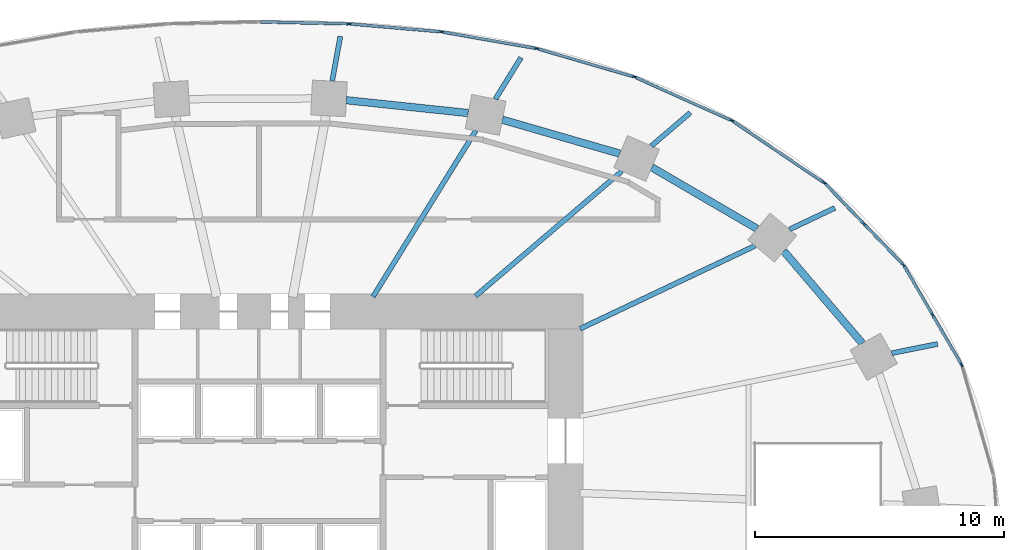
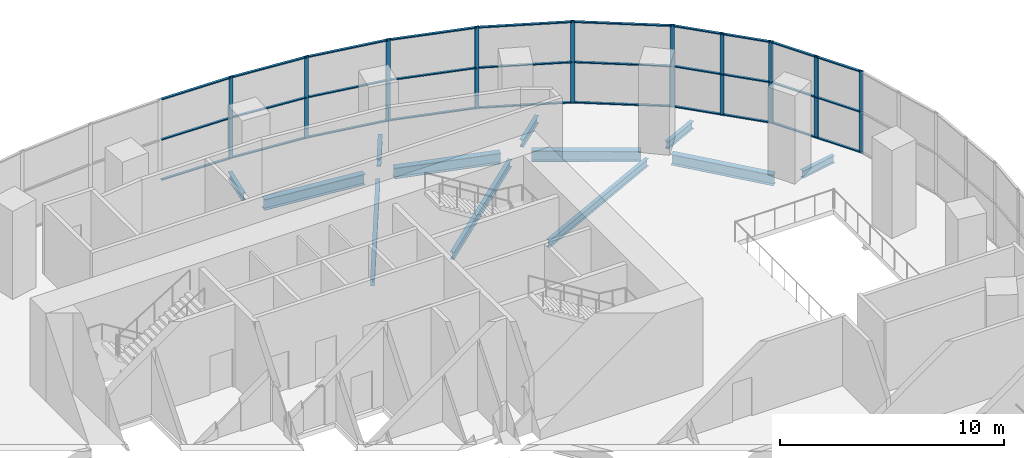
# One storey, part 8 of 17: 40 members, 12 beams, 8 elements without a shape of their own.
"""IFC4 building model written with IfcOpenShell, lengths in metres."""

from ifc_helpers import new_model, si_unit, direction, frame, origin, origin_2d, place, context, subcontext, project, spatial, rectangle, i_section, extrude, material, material_profile, profile_set, type_object, element, aggregate, save


model = new_model("IFC4")

# Units and contexts
model_context = context("Model", 3, precision=1e-05, world=origin(), true_north=direction((0.0, 1.0)))
body_context = subcontext(model_context, "Body", "Model", "MODEL_VIEW")
ifc_project = project(units=[si_unit("LENGTHUNIT", "METRE"), si_unit("AREAUNIT", "SQUARE_METRE"), si_unit("VOLUMEUNIT", "CUBIC_METRE"), si_unit("PLANEANGLEUNIT", "RADIAN"), si_unit("MASSUNIT", "GRAM", prefix="KILO")], contexts=[model_context])

# Site, building, storey
site_placement = place(None, origin())
site = spatial("IfcSite", under=ifc_project, at=site_placement, CompositionType="ELEMENT")
building_placement = place(site_placement, origin())
building = spatial("IfcBuilding", under=site, at=building_placement, Name="Rubra Terraces Tower", CompositionType="ELEMENT")
storey_placement = place(building_placement, frame((0.0, 0.0, 28.199951171875)))
storey = spatial("IfcBuildingStorey", under=building, at=storey_placement, Name="L04", CompositionType="ELEMENT", Elevation=28.199951171875)

# Beams
ifc_material_1 = material(Name="Steel Q355B", Category="steel")
ifc_material_profile_1 = material_profile(ifc_material_1, i_section(OverallWidth=0.199951171875, OverallDepth=0.39990234375, WebThickness=0.008056640625, FlangeThickness=0.012939453125, at=origin_2d()), Name="HN 400x200x8x13")
ifc_profile_set_1 = profile_set([ifc_material_profile_1], Name="Steel Q355B")
beam_type_1 = type_object("IfcBeamType", Name="CANTILEVER BEAM HN 400x200x8x13", PredefinedType="BEAM", material=ifc_profile_set_1)
beam_1_placement = place(storey_placement, frame((25.39599609375, 9.6279296875, -0.449951171875), z_axis=(0.980183746275, 0.198090442822, 0.0), x_axis=(-0.198090442822, 0.980183746275, 0.0)))
element("IfcBeam", 1, at=beam_1_placement, inside=storey, type_object=beam_type_1, Name="beam-L04-cant-02", PredefinedType="BEAM", context=body_context, shape_type="SweptSolid", body=[
    extrude(i_section(OverallWidth=0.199951171875, OverallDepth=0.39990234375, WebThickness=0.008056640625, FlangeThickness=0.012939453125, at=origin_2d()), origin(), (0.0, 0.0, 1.0), 1.878173828125),
])
beam_2_placement = place(storey_placement, frame((21.2958984375, 14.595947265625, -0.449951171875), z_axis=(0.903591368952, 0.428395422426, 0.0), x_axis=(-0.428395422426, 0.903591368952, 0.0)))
element("IfcBeam", 2, at=beam_2_placement, inside=storey, type_object=beam_type_1, Name="beam-L04-cant-03", PredefinedType="BEAM", context=body_context, shape_type="SweptSolid", body=[
    extrude(i_section(OverallWidth=0.199951171875, OverallDepth=0.39990234375, WebThickness=0.008056640625, FlangeThickness=0.012939453125, at=origin_2d()), origin(), (0.0, 0.0, 1.0), 2.003173828125),
])
beam_3_placement = place(storey_placement, frame((15.7509765625, 17.947998046875, -0.449951171875), z_axis=(0.760464221836, 0.649379832847, 0.0), x_axis=(-0.649379832847, 0.760464221836, 0.0)))
element("IfcBeam", 3, at=beam_3_placement, inside=storey, type_object=beam_type_1, Name="beam-L04-cant-04", PredefinedType="BEAM", context=body_context, shape_type="SweptSolid", body=[
    extrude(i_section(OverallWidth=0.199951171875, OverallDepth=0.39990234375, WebThickness=0.008056640625, FlangeThickness=0.012939453125, at=origin_2d()), origin(), (0.0, 0.0, 1.0), 2.052734375),
])
beam_4_placement = place(storey_placement, frame((9.488037109375, 19.827880859375, -0.449951171875), z_axis=(0.526264261804, 0.850321072741, 0.0), x_axis=(-0.850321072741, 0.526264261804, 0.0)))
element("IfcBeam", 4, at=beam_4_placement, inside=storey, type_object=beam_type_1, Name="beam-L04-cant-05", PredefinedType="BEAM", context=body_context, shape_type="SweptSolid", body=[
    extrude(i_section(OverallWidth=0.199951171875, OverallDepth=0.39990234375, WebThickness=0.008056640625, FlangeThickness=0.012939453125, at=origin_2d()), origin(), (0.0, 0.0, 1.0), 1.95361328125),
])
beam_5_placement = place(storey_placement, frame((2.93798828125, 20.549072265625, -0.449951171875), z_axis=(0.180016854408, 0.983663525871, 0.0), x_axis=(-0.983663525871, 0.180016854408, 0.0)))
element("IfcBeam", 5, at=beam_5_placement, inside=storey, type_object=beam_type_1, Name="beam-L04-cant-06", PredefinedType="BEAM", context=body_context, shape_type="SweptSolid", body=[
    extrude(i_section(OverallWidth=0.199951171875, OverallDepth=0.39990234375, WebThickness=0.008056640625, FlangeThickness=0.012939453125, at=origin_2d()), origin(), (0.0, 0.0, 1.0), 1.82275390625),
])
ifc_material_profile_2 = material_profile(ifc_material_1, i_section(OverallWidth=0.199951171875, OverallDepth=0.39990234375, WebThickness=0.008056640625, FlangeThickness=0.012939453125, at=origin_2d()), Name="HN 400x200x8x13")
ifc_profile_set_2 = profile_set([ifc_material_profile_2], Name="Steel Q355B")
beam_type_2 = type_object("IfcBeamType", Name="FLOOR BEAM HN 400x200x8x13", PredefinedType="BEAM", material=ifc_profile_set_2)
beam_6_placement = place(storey_placement, frame((19.904052734375, 13.93603515625, -0.449951171875), z_axis=(-0.903612237836, -0.428351402045, 0.0), x_axis=(0.428351402045, -0.903612237836, 0.0)))
element("IfcBeam", 6, at=beam_6_placement, inside=storey, type_object=beam_type_2, Name="beam-L04-floor-03", PredefinedType="BEAM", context=body_context, shape_type="SweptSolid", body=[
    extrude(i_section(OverallWidth=0.199951171875, OverallDepth=0.39990234375, WebThickness=0.008056640625, FlangeThickness=0.012939453125, at=origin_2d()), origin(), (0.0, 0.0, 1.0), 7.760009765625),
])
beam_7_placement = place(storey_placement, frame((14.56298828125, 16.93408203125, -0.449951171875), z_axis=(-0.760494401061, -0.649344489431, 0.0), x_axis=(0.649344489431, -0.760494401061, 0.0)))
element("IfcBeam", 7, at=beam_7_placement, inside=storey, type_object=beam_type_2, Name="beam-L04-floor-04", PredefinedType="BEAM", context=body_context, shape_type="SweptSolid", body=[
    extrude(i_section(OverallWidth=0.199951171875, OverallDepth=0.39990234375, WebThickness=0.008056640625, FlangeThickness=0.012939453125, at=origin_2d()), origin(), (0.0, 0.0, 1.0), 7.718505859375),
])
beam_8_placement = place(storey_placement, frame((8.699951171875, 18.555908203125, -0.449951171875), z_axis=(-0.526285914839, -0.850307671283, 0.0), x_axis=(0.850307671283, -0.526285914839, 0.0)))
element("IfcBeam", 8, at=beam_8_placement, inside=storey, type_object=beam_type_2, Name="beam-L04-floor-05", PredefinedType="BEAM", context=body_context, shape_type="SweptSolid", body=[
    extrude(i_section(OverallWidth=0.199951171875, OverallDepth=0.39990234375, WebThickness=0.008056640625, FlangeThickness=0.012939453125, at=origin_2d()), origin(), (0.0, 0.0, 1.0), 7.830078125),
])

# Curtain wall, members
ifc_material_2 = material(Name="Aluminium and glass", Category="aluminium")
curtain_wall_type = type_object("IfcCurtainWallType", Name="Curtain wall Podium glazing", PredefinedType="NOTDEFINED", material=ifc_material_2)
curtain_wall_1_placement = place(storey_placement, origin())
curtain_wall_1 = element("IfcCurtainWall", 9, at=curtain_wall_1_placement, inside=storey, type_object=curtain_wall_type, Name="L04 glazing bay 3", PredefinedType="NOTDEFINED")
ifc_material_3 = material(Name="Aluminium, anodised dark grey", Category="aluminium")
ifc_material_profile_3 = material_profile(ifc_material_3, rectangle(XDim=0.06005859375, YDim=0.199951171875, at=origin_2d()), Name="AL 60x200")
ifc_profile_set_3 = profile_set([ifc_material_profile_3], Name="Aluminium, anodised dark grey")
member_type_1 = type_object("IfcMemberType", Name="Podium glazing mullion 60 x 200", PredefinedType="MULLION", material=ifc_profile_set_3)
member_1_placement = place(storey_placement, frame((28.18798828125, 9.17333984375, 0.0), z_axis=(0.0, 0.0, 1.0), x_axis=(-0.864813011398, -0.502094070187, 0.0)))
member_1 = element("IfcMember", 10, at=member_1_placement, type_object=member_type_1, Name="CW1 mullion 1", PredefinedType="MULLION", context=body_context, shape_type="SweptSolid", body=[
    extrude(rectangle(XDim=0.06005859375, YDim=0.199951171875, at=origin_2d()), origin(), (0.0, 0.0, 1.0), 4.5),
])
member_2_placement = place(storey_placement, frame((27.0341796875, 11.160888671875, 0.0), z_axis=(0.0, 0.0, 1.0), x_axis=(-0.864813011398, -0.502094070187, 0.0)))
member_2 = element("IfcMember", 11, at=member_2_placement, type_object=member_type_1, Name="CW1 mullion 2", PredefinedType="MULLION", context=body_context, shape_type="SweptSolid", body=[
    extrude(rectangle(XDim=0.06005859375, YDim=0.199951171875, at=origin_2d()), origin(), (0.0, 0.0, 1.0), 4.5),
])

curtain_wall_2_placement = place(storey_placement, origin())
curtain_wall_2 = element("IfcCurtainWall", 12, at=curtain_wall_2_placement, inside=storey, type_object=curtain_wall_type, Name="L04 glazing bay 4", PredefinedType="NOTDEFINED")
member_3_placement = place(storey_placement, frame((25.855224609375, 13.181396484375, 0.0), z_axis=(0.0, 0.0, 1.0), x_axis=(-0.71982488517, -0.69415569917, 0.0)))
member_3 = element("IfcMember", 13, at=member_3_placement, type_object=member_type_1, Name="CW1 mullion 1", PredefinedType="MULLION", context=body_context, shape_type="SweptSolid", body=[
    extrude(rectangle(XDim=0.06005859375, YDim=0.199951171875, at=origin_2d()), origin(), (0.0, 0.0, 1.0), 4.5),
])
member_4_placement = place(storey_placement, frame((24.280517578125, 14.814453125, 0.0), z_axis=(0.0, 0.0, 1.0), x_axis=(-0.71982488517, -0.69415569917, 0.0)))
member_4 = element("IfcMember", 14, at=member_4_placement, type_object=member_type_1, Name="CW1 mullion 2", PredefinedType="MULLION", context=body_context, shape_type="SweptSolid", body=[
    extrude(rectangle(XDim=0.06005859375, YDim=0.199951171875, at=origin_2d()), origin(), (0.0, 0.0, 1.0), 4.5),
])

# Curtain wall, member
curtain_wall_3_placement = place(storey_placement, origin())
curtain_wall_3 = element("IfcCurtainWall", 15, at=curtain_wall_3_placement, inside=storey, type_object=curtain_wall_type, Name="L04 glazing bay 5", PredefinedType="NOTDEFINED")
member_5_placement = place(storey_placement, frame((22.672119140625, 16.4755859375, 0.0), z_axis=(0.0, 0.0, 1.0), x_axis=(-0.55927727939, -0.828980654031, 0.0)))
member_5 = element("IfcMember", 16, at=member_5_placement, type_object=member_type_1, Name="CW1 mullion 1", PredefinedType="MULLION", context=body_context, shape_type="SweptSolid", body=[
    extrude(rectangle(XDim=0.06005859375, YDim=0.199951171875, at=origin_2d()), origin(), (0.0, 0.0, 1.0), 4.5),
])

curtain_wall_4_placement = place(storey_placement, origin())
curtain_wall_4 = element("IfcCurtainWall", 17, at=curtain_wall_4_placement, inside=storey, type_object=curtain_wall_type, Name="L04 glazing bay 6", PredefinedType="NOTDEFINED")
member_6_placement = place(storey_placement, frame((18.968017578125, 18.969970703125, 0.0), z_axis=(0.0, 0.0, 1.0), x_axis=(-0.4089624427, -0.912551215254, 0.0)))
member_6 = element("IfcMember", 18, at=member_6_placement, type_object=member_type_1, Name="CW1 mullion 1", PredefinedType="MULLION", context=body_context, shape_type="SweptSolid", body=[
    extrude(rectangle(XDim=0.06005859375, YDim=0.199951171875, at=origin_2d()), origin(), (0.0, 0.0, 1.0), 4.5),
])

curtain_wall_5_placement = place(storey_placement, origin())
curtain_wall_5 = element("IfcCurtainWall", 19, at=curtain_wall_5_placement, inside=storey, type_object=curtain_wall_type, Name="L04 glazing bay 7", PredefinedType="NOTDEFINED")
member_7_placement = place(storey_placement, frame((15.05126953125, 20.721435546875, 0.0), z_axis=(0.0, 0.0, 1.0), x_axis=(-0.279399200229, -0.96017502931, 0.0)))
member_7 = element("IfcMember", 20, at=member_7_placement, type_object=member_type_1, Name="CW1 mullion 1", PredefinedType="MULLION", context=body_context, shape_type="SweptSolid", body=[
    extrude(rectangle(XDim=0.06005859375, YDim=0.199951171875, at=origin_2d()), origin(), (0.0, 0.0, 1.0), 4.5),
])

curtain_wall_6_placement = place(storey_placement, origin())
curtain_wall_6 = element("IfcCurtainWall", 21, at=curtain_wall_6_placement, inside=storey, type_object=curtain_wall_type, Name="L04 glazing bay 8", PredefinedType="NOTDEFINED")
member_8_placement = place(storey_placement, frame((11.13037109375, 21.859375, 0.0), z_axis=(0.0, 0.0, 1.0), x_axis=(-0.172816985997, -0.984953952909, 0.0)))
member_8 = element("IfcMember", 22, at=member_8_placement, type_object=member_type_1, Name="CW1 mullion 1", PredefinedType="MULLION", context=body_context, shape_type="SweptSolid", body=[
    extrude(rectangle(XDim=0.06005859375, YDim=0.199951171875, at=origin_2d()), origin(), (0.0, 0.0, 1.0), 4.5),
])

curtain_wall_7_placement = place(storey_placement, origin())
curtain_wall_7 = element("IfcCurtainWall", 23, at=curtain_wall_7_placement, inside=storey, type_object=curtain_wall_type, Name="L04 glazing bay 9", PredefinedType="NOTDEFINED")
member_9_placement = place(storey_placement, frame((7.306640625, 22.52783203125, 0.0), z_axis=(0.0, 0.0, 1.0), x_axis=(-0.08639804595, -0.996260697637, 0.0)))
member_9 = element("IfcMember", 24, at=member_9_placement, type_object=member_type_1, Name="CW1 mullion 1", PredefinedType="MULLION", context=body_context, shape_type="SweptSolid", body=[
    extrude(rectangle(XDim=0.06005859375, YDim=0.199951171875, at=origin_2d()), origin(), (0.0, 0.0, 1.0), 4.5),
])

curtain_wall_8_placement = place(storey_placement, origin())
curtain_wall_8 = element("IfcCurtainWall", 25, at=curtain_wall_8_placement, inside=storey, type_object=curtain_wall_type, Name="L04 glazing bay 10", PredefinedType="NOTDEFINED")
member_10_placement = place(storey_placement, frame((3.598388671875, 22.84765625, 0.0), z_axis=(0.0, 0.0, 1.0), x_axis=(-0.021482644428, -0.999769221365, 0.0)))
member_10 = element("IfcMember", 26, at=member_10_placement, type_object=member_type_1, Name="CW1 mullion 1", PredefinedType="MULLION", context=body_context, shape_type="SweptSolid", body=[
    extrude(rectangle(XDim=0.06005859375, YDim=0.199951171875, at=origin_2d()), origin(), (0.0, 0.0, 1.0), 4.5),
])

# Member
ifc_material_profile_4 = material_profile(ifc_material_3, rectangle(XDim=0.1201171875, YDim=0.06005859375, at=origin_2d()), Name="AL 120x60")
ifc_profile_set_4 = profile_set([ifc_material_profile_4], Name="Aluminium, anodised dark grey")
member_type_2 = type_object("IfcMemberType", Name="Podium glazing transom 120 x 60", PredefinedType="USERDEFINED", material=ifc_profile_set_4)
member_11_placement = place(storey_placement, frame((28.173095703125, 9.19921875, 0.06005859375), z_axis=(-0.5021881448, 0.864758386616, 0.0), x_axis=(-0.864758386616, -0.5021881448, 0.0)))
member_11 = element("IfcMember", 27, at=member_11_placement, type_object=member_type_2, Name="CW1 transom 1.1", ObjectType="TRANSOM", PredefinedType="USERDEFINED", context=body_context, shape_type="SweptSolid", body=[
    extrude(rectangle(XDim=0.1201171875, YDim=0.06005859375, at=origin_2d()), origin(), (0.0, 0.0, 1.0), 2.23828125),
])

member_12_placement = place(storey_placement, frame((28.173095703125, 9.19921875, 2.25), z_axis=(-0.5021881448, 0.864758386616, 0.0), x_axis=(-0.864758386616, -0.5021881448, 0.0)))
member_12 = element("IfcMember", 28, at=member_12_placement, type_object=member_type_2, Name="CW1 transom 1.2", ObjectType="TRANSOM", PredefinedType="USERDEFINED", context=body_context, shape_type="SweptSolid", body=[
    extrude(rectangle(XDim=0.1201171875, YDim=0.06005859375, at=origin_2d()), origin(), (0.0, 0.0, 1.0), 2.23828125),
])

member_13_placement = place(storey_placement, frame((28.173095703125, 9.19921875, 4.43994140625), z_axis=(-0.5021881448, 0.864758386616, 0.0), x_axis=(-0.864758386616, -0.5021881448, 0.0)))
member_13 = element("IfcMember", 29, at=member_13_placement, type_object=member_type_2, Name="CW1 transom 1.3", ObjectType="TRANSOM", PredefinedType="USERDEFINED", context=body_context, shape_type="SweptSolid", body=[
    extrude(rectangle(XDim=0.1201171875, YDim=0.06005859375, at=origin_2d()), origin(), (0.0, 0.0, 1.0), 2.23828125),
])

member_14_placement = place(storey_placement, frame((27.01904296875, 11.186767578125, 0.06005859375), z_axis=(-0.502106569931, 0.864805754162, 0.0), x_axis=(-0.864805754162, -0.502106569931, 0.0)))
member_14 = element("IfcMember", 30, at=member_14_placement, type_object=member_type_2, Name="CW1 transom 2.1", ObjectType="TRANSOM", PredefinedType="USERDEFINED", context=body_context, shape_type="SweptSolid", body=[
    extrude(rectangle(XDim=0.1201171875, YDim=0.06005859375, at=origin_2d()), origin(), (0.0, 0.0, 1.0), 2.238037109375),
])

member_15_placement = place(storey_placement, frame((27.01904296875, 11.186767578125, 2.25), z_axis=(-0.502106569931, 0.864805754162, 0.0), x_axis=(-0.864805754162, -0.502106569931, 0.0)))
member_15 = element("IfcMember", 31, at=member_15_placement, type_object=member_type_2, Name="CW1 transom 2.2", ObjectType="TRANSOM", PredefinedType="USERDEFINED", context=body_context, shape_type="SweptSolid", body=[
    extrude(rectangle(XDim=0.1201171875, YDim=0.06005859375, at=origin_2d()), origin(), (0.0, 0.0, 1.0), 2.238037109375),
])

member_16_placement = place(storey_placement, frame((27.01904296875, 11.186767578125, 4.43994140625), z_axis=(-0.502106569931, 0.864805754162, 0.0), x_axis=(-0.864805754162, -0.502106569931, 0.0)))
member_16 = element("IfcMember", 32, at=member_16_placement, type_object=member_type_2, Name="CW1 transom 2.3", ObjectType="TRANSOM", PredefinedType="USERDEFINED", context=body_context, shape_type="SweptSolid", body=[
    extrude(rectangle(XDim=0.1201171875, YDim=0.06005859375, at=origin_2d()), origin(), (0.0, 0.0, 1.0), 2.238037109375),
])

aggregate(curtain_wall_1, [member_1, member_2, member_11, member_12, member_13, member_14, member_15, member_16])

member_17_placement = place(storey_placement, frame((25.83447265625, 13.203125, 0.06005859375), z_axis=(-0.694223533913, 0.719759463266, 0.0), x_axis=(-0.719759463266, -0.694223533913, 0.0)))
member_17 = element("IfcMember", 33, at=member_17_placement, type_object=member_type_2, Name="CW1 transom 1.1", ObjectType="TRANSOM", PredefinedType="USERDEFINED", context=body_context, shape_type="SweptSolid", body=[
    extrude(rectangle(XDim=0.1201171875, YDim=0.06005859375, at=origin_2d()), origin(), (0.0, 0.0, 1.0), 2.20849609375),
])

member_18_placement = place(storey_placement, frame((25.83447265625, 13.203125, 2.25), z_axis=(-0.694223533913, 0.719759463266, 0.0), x_axis=(-0.719759463266, -0.694223533913, 0.0)))
member_18 = element("IfcMember", 34, at=member_18_placement, type_object=member_type_2, Name="CW1 transom 1.2", ObjectType="TRANSOM", PredefinedType="USERDEFINED", context=body_context, shape_type="SweptSolid", body=[
    extrude(rectangle(XDim=0.1201171875, YDim=0.06005859375, at=origin_2d()), origin(), (0.0, 0.0, 1.0), 2.20849609375),
])

member_19_placement = place(storey_placement, frame((25.83447265625, 13.203125, 4.43994140625), z_axis=(-0.694223533913, 0.719759463266, 0.0), x_axis=(-0.719759463266, -0.694223533913, 0.0)))
member_19 = element("IfcMember", 35, at=member_19_placement, type_object=member_type_2, Name="CW1 transom 1.3", ObjectType="TRANSOM", PredefinedType="USERDEFINED", context=body_context, shape_type="SweptSolid", body=[
    extrude(rectangle(XDim=0.1201171875, YDim=0.06005859375, at=origin_2d()), origin(), (0.0, 0.0, 1.0), 2.20849609375),
])

member_20_placement = place(storey_placement, frame((24.259765625, 14.8359375, 0.06005859375), z_axis=(-0.694168299732, 0.719812733735, 0.0), x_axis=(-0.719812733735, -0.694168299732, 0.0)))
member_20 = element("IfcMember", 36, at=member_20_placement, type_object=member_type_2, Name="CW1 transom 2.1", ObjectType="TRANSOM", PredefinedType="USERDEFINED", context=body_context, shape_type="SweptSolid", body=[
    extrude(rectangle(XDim=0.1201171875, YDim=0.06005859375, at=origin_2d()), origin(), (0.0, 0.0, 1.0), 2.208740234375),
])

member_21_placement = place(storey_placement, frame((24.259765625, 14.8359375, 2.25), z_axis=(-0.694168299732, 0.719812733735, 0.0), x_axis=(-0.719812733735, -0.694168299732, 0.0)))
member_21 = element("IfcMember", 37, at=member_21_placement, type_object=member_type_2, Name="CW1 transom 2.2", ObjectType="TRANSOM", PredefinedType="USERDEFINED", context=body_context, shape_type="SweptSolid", body=[
    extrude(rectangle(XDim=0.1201171875, YDim=0.06005859375, at=origin_2d()), origin(), (0.0, 0.0, 1.0), 2.208740234375),
])

member_22_placement = place(storey_placement, frame((24.259765625, 14.8359375, 4.43994140625), z_axis=(-0.694168299732, 0.719812733735, 0.0), x_axis=(-0.719812733735, -0.694168299732, 0.0)))
member_22 = element("IfcMember", 38, at=member_22_placement, type_object=member_type_2, Name="CW1 transom 2.3", ObjectType="TRANSOM", PredefinedType="USERDEFINED", context=body_context, shape_type="SweptSolid", body=[
    extrude(rectangle(XDim=0.1201171875, YDim=0.06005859375, at=origin_2d()), origin(), (0.0, 0.0, 1.0), 2.208740234375),
])

aggregate(curtain_wall_2, [member_3, member_4, member_17, member_18, member_19, member_20, member_21, member_22])

member_23_placement = place(storey_placement, frame((22.6474609375, 16.492431640625, 0.06005859375), z_axis=(-0.828996039897, 0.559254473236, 0.0), x_axis=(-0.559254473236, -0.828996039897, 0.0)))
member_23 = element("IfcMember", 39, at=member_23_placement, type_object=member_type_2, Name="CW1 transom 1.1", ObjectType="TRANSOM", PredefinedType="USERDEFINED", context=body_context, shape_type="SweptSolid", body=[
    extrude(rectangle(XDim=0.1201171875, YDim=0.06005859375, at=origin_2d()), origin(), (0.0, 0.0, 1.0), 4.35888671875),
])

member_24_placement = place(storey_placement, frame((22.6474609375, 16.492431640625, 2.25), z_axis=(-0.828996039897, 0.559254473236, 0.0), x_axis=(-0.559254473236, -0.828996039897, 0.0)))
member_24 = element("IfcMember", 40, at=member_24_placement, type_object=member_type_2, Name="CW1 transom 1.2", ObjectType="TRANSOM", PredefinedType="USERDEFINED", context=body_context, shape_type="SweptSolid", body=[
    extrude(rectangle(XDim=0.1201171875, YDim=0.06005859375, at=origin_2d()), origin(), (0.0, 0.0, 1.0), 4.35888671875),
])

member_25_placement = place(storey_placement, frame((22.6474609375, 16.492431640625, 4.43994140625), z_axis=(-0.828996039897, 0.559254473236, 0.0), x_axis=(-0.559254473236, -0.828996039897, 0.0)))
member_25 = element("IfcMember", 41, at=member_25_placement, type_object=member_type_2, Name="CW1 transom 1.3", ObjectType="TRANSOM", PredefinedType="USERDEFINED", context=body_context, shape_type="SweptSolid", body=[
    extrude(rectangle(XDim=0.1201171875, YDim=0.06005859375, at=origin_2d()), origin(), (0.0, 0.0, 1.0), 4.35888671875),
])

aggregate(curtain_wall_3, [member_5, member_23, member_24, member_25])

member_26_placement = place(storey_placement, frame((18.9404296875, 18.982177734375, 0.06005859375), z_axis=(-0.912545396627, 0.408975426029, 0.0), x_axis=(-0.408975426029, -0.912545396627, 0.0)))
member_26 = element("IfcMember", 42, at=member_26_placement, type_object=member_type_2, Name="CW1 transom 1.1", ObjectType="TRANSOM", PredefinedType="USERDEFINED", context=body_context, shape_type="SweptSolid", body=[
    extrude(rectangle(XDim=0.1201171875, YDim=0.06005859375, at=origin_2d()), origin(), (0.0, 0.0, 1.0), 4.18115234375),
])

member_27_placement = place(storey_placement, frame((18.9404296875, 18.982177734375, 2.25), z_axis=(-0.912545396627, 0.408975426029, 0.0), x_axis=(-0.408975426029, -0.912545396627, 0.0)))
member_27 = element("IfcMember", 43, at=member_27_placement, type_object=member_type_2, Name="CW1 transom 1.2", ObjectType="TRANSOM", PredefinedType="USERDEFINED", context=body_context, shape_type="SweptSolid", body=[
    extrude(rectangle(XDim=0.1201171875, YDim=0.06005859375, at=origin_2d()), origin(), (0.0, 0.0, 1.0), 4.18115234375),
])

member_28_placement = place(storey_placement, frame((18.9404296875, 18.982177734375, 4.43994140625), z_axis=(-0.912545396627, 0.408975426029, 0.0), x_axis=(-0.408975426029, -0.912545396627, 0.0)))
member_28 = element("IfcMember", 44, at=member_28_placement, type_object=member_type_2, Name="CW1 transom 1.3", ObjectType="TRANSOM", PredefinedType="USERDEFINED", context=body_context, shape_type="SweptSolid", body=[
    extrude(rectangle(XDim=0.1201171875, YDim=0.06005859375, at=origin_2d()), origin(), (0.0, 0.0, 1.0), 4.18115234375),
])

aggregate(curtain_wall_4, [member_6, member_26, member_27, member_28])

member_29_placement = place(storey_placement, frame((15.0224609375, 20.729736328125, 0.06005859375), z_axis=(-0.960164409194, 0.279435694422, 0.0), x_axis=(-0.279435694422, -0.960164409194, 0.0)))
member_29 = element("IfcMember", 45, at=member_29_placement, type_object=member_type_2, Name="CW1 transom 1.1", ObjectType="TRANSOM", PredefinedType="USERDEFINED", context=body_context, shape_type="SweptSolid", body=[
    extrude(rectangle(XDim=0.1201171875, YDim=0.06005859375, at=origin_2d()), origin(), (0.0, 0.0, 1.0), 3.970947265625),
])

member_30_placement = place(storey_placement, frame((15.0224609375, 20.729736328125, 2.25), z_axis=(-0.960164409194, 0.279435694422, 0.0), x_axis=(-0.279435694422, -0.960164409194, 0.0)))
member_30 = element("IfcMember", 46, at=member_30_placement, type_object=member_type_2, Name="CW1 transom 1.2", ObjectType="TRANSOM", PredefinedType="USERDEFINED", context=body_context, shape_type="SweptSolid", body=[
    extrude(rectangle(XDim=0.1201171875, YDim=0.06005859375, at=origin_2d()), origin(), (0.0, 0.0, 1.0), 3.970947265625),
])

member_31_placement = place(storey_placement, frame((15.0224609375, 20.729736328125, 4.43994140625), z_axis=(-0.960164409194, 0.279435694422, 0.0), x_axis=(-0.279435694422, -0.960164409194, 0.0)))
member_31 = element("IfcMember", 47, at=member_31_placement, type_object=member_type_2, Name="CW1 transom 1.3", ObjectType="TRANSOM", PredefinedType="USERDEFINED", context=body_context, shape_type="SweptSolid", body=[
    extrude(rectangle(XDim=0.1201171875, YDim=0.06005859375, at=origin_2d()), origin(), (0.0, 0.0, 1.0), 3.970947265625),
])

aggregate(curtain_wall_5, [member_7, member_29, member_30, member_31])

member_32_placement = place(storey_placement, frame((11.100830078125, 21.864501953125, 0.06005859375), z_axis=(-0.984959152546, 0.172787348539, 0.0), x_axis=(-0.172787348539, -0.984959152546, 0.0)))
member_32 = element("IfcMember", 48, at=member_32_placement, type_object=member_type_2, Name="CW1 transom 1.1", ObjectType="TRANSOM", PredefinedType="USERDEFINED", context=body_context, shape_type="SweptSolid", body=[
    extrude(rectangle(XDim=0.1201171875, YDim=0.06005859375, at=origin_2d()), origin(), (0.0, 0.0, 1.0), 3.768310546875),
])

member_33_placement = place(storey_placement, frame((11.100830078125, 21.864501953125, 2.25), z_axis=(-0.984959152546, 0.172787348539, 0.0), x_axis=(-0.172787348539, -0.984959152546, 0.0)))
member_33 = element("IfcMember", 49, at=member_33_placement, type_object=member_type_2, Name="CW1 transom 1.2", ObjectType="TRANSOM", PredefinedType="USERDEFINED", context=body_context, shape_type="SweptSolid", body=[
    extrude(rectangle(XDim=0.1201171875, YDim=0.06005859375, at=origin_2d()), origin(), (0.0, 0.0, 1.0), 3.768310546875),
])

member_34_placement = place(storey_placement, frame((11.100830078125, 21.864501953125, 4.43994140625), z_axis=(-0.984959152546, 0.172787348539, 0.0), x_axis=(-0.172787348539, -0.984959152546, 0.0)))
member_34 = element("IfcMember", 50, at=member_34_placement, type_object=member_type_2, Name="CW1 transom 1.3", ObjectType="TRANSOM", PredefinedType="USERDEFINED", context=body_context, shape_type="SweptSolid", body=[
    extrude(rectangle(XDim=0.1201171875, YDim=0.06005859375, at=origin_2d()), origin(), (0.0, 0.0, 1.0), 3.768310546875),
])

aggregate(curtain_wall_6, [member_8, member_32, member_33, member_34])

member_35_placement = place(storey_placement, frame((7.276611328125, 22.530517578125, 0.06005859375), z_axis=(-0.996262906738, 0.086372568895, 0.0), x_axis=(-0.086372568895, -0.996262906738, 0.0)))
member_35 = element("IfcMember", 51, at=member_35_placement, type_object=member_type_2, Name="CW1 transom 1.1", ObjectType="TRANSOM", PredefinedType="USERDEFINED", context=body_context, shape_type="SweptSolid", body=[
    extrude(rectangle(XDim=0.1201171875, YDim=0.06005859375, at=origin_2d()), origin(), (0.0, 0.0, 1.0), 3.606689453125),
])

member_36_placement = place(storey_placement, frame((7.276611328125, 22.530517578125, 2.25), z_axis=(-0.996262906738, 0.086372568895, 0.0), x_axis=(-0.086372568895, -0.996262906738, 0.0)))
member_36 = element("IfcMember", 52, at=member_36_placement, type_object=member_type_2, Name="CW1 transom 1.2", ObjectType="TRANSOM", PredefinedType="USERDEFINED", context=body_context, shape_type="SweptSolid", body=[
    extrude(rectangle(XDim=0.1201171875, YDim=0.06005859375, at=origin_2d()), origin(), (0.0, 0.0, 1.0), 3.606689453125),
])

member_37_placement = place(storey_placement, frame((7.276611328125, 22.530517578125, 4.43994140625), z_axis=(-0.996262906738, 0.086372568895, 0.0), x_axis=(-0.086372568895, -0.996262906738, 0.0)))
member_37 = element("IfcMember", 53, at=member_37_placement, type_object=member_type_2, Name="CW1 transom 1.3", ObjectType="TRANSOM", PredefinedType="USERDEFINED", context=body_context, shape_type="SweptSolid", body=[
    extrude(rectangle(XDim=0.1201171875, YDim=0.06005859375, at=origin_2d()), origin(), (0.0, 0.0, 1.0), 3.606689453125),
])

aggregate(curtain_wall_7, [member_9, member_35, member_36, member_37])

member_38_placement = place(storey_placement, frame((3.568359375, 22.848388671875, 0.06005859375), z_axis=(-0.99976911273, 0.021487699509, 0.0), x_axis=(-0.021487699509, -0.99976911273, 0.0)))
member_38 = element("IfcMember", 54, at=member_38_placement, type_object=member_type_2, Name="CW1 transom 1.1", ObjectType="TRANSOM", PredefinedType="USERDEFINED", context=body_context, shape_type="SweptSolid", body=[
    extrude(rectangle(XDim=0.1201171875, YDim=0.06005859375, at=origin_2d()), origin(), (0.0, 0.0, 1.0), 3.5107421875),
])

member_39_placement = place(storey_placement, frame((3.568359375, 22.848388671875, 2.25), z_axis=(-0.99976911273, 0.021487699509, 0.0), x_axis=(-0.021487699509, -0.99976911273, 0.0)))
member_39 = element("IfcMember", 55, at=member_39_placement, type_object=member_type_2, Name="CW1 transom 1.2", ObjectType="TRANSOM", PredefinedType="USERDEFINED", context=body_context, shape_type="SweptSolid", body=[
    extrude(rectangle(XDim=0.1201171875, YDim=0.06005859375, at=origin_2d()), origin(), (0.0, 0.0, 1.0), 3.5107421875),
])

member_40_placement = place(storey_placement, frame((3.568359375, 22.848388671875, 4.43994140625), z_axis=(-0.99976911273, 0.021487699509, 0.0), x_axis=(-0.021487699509, -0.99976911273, 0.0)))
member_40 = element("IfcMember", 56, at=member_40_placement, type_object=member_type_2, Name="CW1 transom 1.3", ObjectType="TRANSOM", PredefinedType="USERDEFINED", context=body_context, shape_type="SweptSolid", body=[
    extrude(rectangle(XDim=0.1201171875, YDim=0.06005859375, at=origin_2d()), origin(), (0.0, 0.0, 1.0), 3.5107421875),
])

aggregate(curtain_wall_8, [member_10, member_38, member_39, member_40])

# Beams
ifc_material_profile_5 = material_profile(ifc_material_1, i_section(OverallWidth=0.300048828125, OverallDepth=0.587890625, WebThickness=0.011962890625, FlangeThickness=0.02001953125, at=origin_2d()), Name="HM 588x300x12x20")
ifc_profile_set_5 = profile_set([ifc_material_profile_5], Name="Steel Q355B")
beam_type_3 = type_object("IfcBeamType", Name="SPANDREL BEAM HM 588x300x12x20", PredefinedType="SPANDREL", material=ifc_profile_set_5)
beam_9_placement = place(storey_placement, frame((24.212890625, 10.02587890625, -0.5439453125), z_axis=(-0.648447050824, 0.761259760054, 0.0), x_axis=(-0.761259760054, -0.648447050824, 0.0)))
element("IfcBeam", 57, at=beam_9_placement, inside=storey, type_object=beam_type_3, Name="beam-L04-spandrel-02", PredefinedType="SPANDREL", context=body_context, shape_type="SweptSolid", body=[
    extrude(i_section(OverallWidth=0.300048828125, OverallDepth=0.587890625, WebThickness=0.011962890625, FlangeThickness=0.02001953125, at=origin_2d()), origin(), (0.0, 0.0, 1.0), 4.860595703125),
])
beam_10_placement = place(storey_placement, frame((19.987060546875, 14.6240234375, -0.5439453125), z_axis=(-0.863806081452, 0.503824427402, 0.0), x_axis=(-0.503824427402, -0.863806081452, 0.0)))
element("IfcBeam", 58, at=beam_10_placement, inside=storey, type_object=beam_type_3, Name="beam-L04-spandrel-03", PredefinedType="SPANDREL", context=body_context, shape_type="SweptSolid", body=[
    extrude(i_section(OverallWidth=0.300048828125, OverallDepth=0.587890625, WebThickness=0.011962890625, FlangeThickness=0.02001953125, at=origin_2d()), origin(), (0.0, 0.0, 1.0), 4.886474609375),
])
beam_11_placement = place(storey_placement, frame((14.47900390625, 17.636962890625, -0.5439453125), z_axis=(-0.960743980202, 0.277436487337, 0.0), x_axis=(-0.277436487337, -0.960743980202, 0.0)))
element("IfcBeam", 59, at=beam_11_placement, inside=storey, type_object=beam_type_3, Name="beam-L04-spandrel-04", PredefinedType="SPANDREL", context=body_context, shape_type="SweptSolid", body=[
    extrude(i_section(OverallWidth=0.300048828125, OverallDepth=0.587890625, WebThickness=0.011962890625, FlangeThickness=0.02001953125, at=origin_2d()), origin(), (0.0, 0.0, 1.0), 4.90234375),
])
beam_12_placement = place(storey_placement, frame((8.39501953125, 19.26611328125, -0.5439453125), z_axis=(-0.994495375694, 0.104780473964, 0.0), x_axis=(-0.104780473964, -0.994495375694, 0.0)))
element("IfcBeam", 60, at=beam_12_placement, inside=storey, type_object=beam_type_3, Name="beam-L04-spandrel-05", PredefinedType="SPANDREL", context=body_context, shape_type="SweptSolid", body=[
    extrude(i_section(OverallWidth=0.300048828125, OverallDepth=0.587890625, WebThickness=0.011962890625, FlangeThickness=0.02001953125, at=origin_2d()), origin(), (0.0, 0.0, 1.0), 4.9140625),
])

save(model, "model.ifc")
